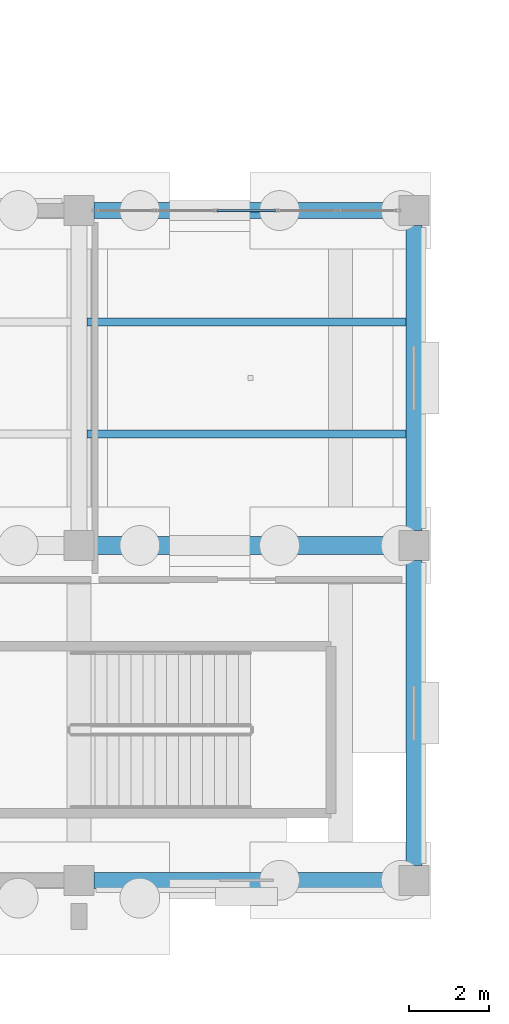
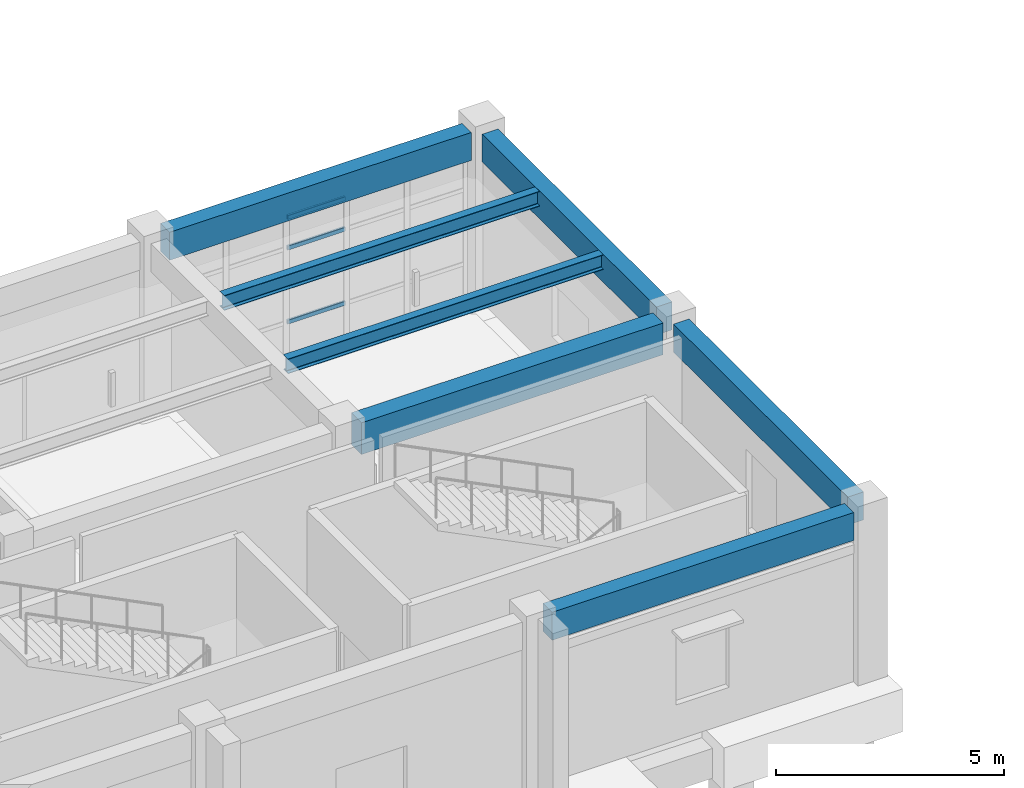
# One storey, part 12 of 29: 7 beams, 4 members, 1 element without a shape of its own.
"""IFC4 building model written with IfcOpenShell, lengths in metres."""

from ifc_helpers import new_model, si_unit, direction, frame, origin, origin_2d, place, context, subcontext, project, spatial, rectangle, hollow_rectangle, i_section, extrude, material, material_profile, profile_set, type_object, element, aggregate, save


model = new_model("IFC4")

# Units and contexts
model_context = context("Model", 3, precision=1e-05, world=origin(), true_north=direction((0.0, 1.0)))
body_context = subcontext(model_context, "Body", "Model", "MODEL_VIEW")
ifc_project = project(units=[si_unit("LENGTHUNIT", "METRE"), si_unit("AREAUNIT", "SQUARE_METRE"), si_unit("VOLUMEUNIT", "CUBIC_METRE"), si_unit("PLANEANGLEUNIT", "RADIAN"), si_unit("MASSUNIT", "GRAM", prefix="KILO")], contexts=[model_context])

# Site, building, storey
site_placement = place(None, origin())
site = spatial("IfcSite", under=ifc_project, at=site_placement, CompositionType="ELEMENT")
building_placement = place(site_placement, origin())
building = spatial("IfcBuilding", under=site, at=building_placement, Name="Canglan Escarpment Cableway Terminal", CompositionType="ELEMENT")
storey_placement = place(building_placement, origin())
storey = spatial("IfcBuildingStorey", under=building, at=storey_placement, Name="L00", CompositionType="ELEMENT", Elevation=0.0)

# Beams
ifc_material_1 = material(Name="Concrete C40", Category="concrete")
ifc_material_profile_1 = material_profile(ifc_material_1, rectangle(XDim=0.39990234375, YDim=0.75, at=origin_2d()), Name="RC 400x750")
ifc_profile_set_1 = profile_set([ifc_material_profile_1], Name="Concrete C40")
beam_type_1 = type_object("IfcBeamType", Name="BM-RC400x750", PredefinedType="BEAM", material=ifc_profile_set_1)
beam_1_placement = place(storey_placement, frame((76.10009765625, 8.375, 4.175048828125), z_axis=(0.0, 1.0, 0.0), x_axis=(-1.0, 0.0, 0.0)))
element("IfcBeam", 1, at=beam_1_placement, inside=storey, type_object=beam_type_1, Name="Primary transverse girder B-03", PredefinedType="BEAM", context=body_context, shape_type="SweptSolid", body=[
    extrude(rectangle(XDim=0.39990234375, YDim=0.75, at=origin_2d()), origin(), (0.0, 0.0, 1.0), 7.64990234375),
])
beam_2_placement = place(storey_placement, frame((76.10009765625, 16.77490234375, 4.175048828125), z_axis=(0.0, 1.0, 0.0), x_axis=(-1.0, 0.0, 0.0)))
element("IfcBeam", 2, at=beam_2_placement, inside=storey, type_object=beam_type_1, Name="Primary transverse girder B-03", PredefinedType="BEAM", context=body_context, shape_type="SweptSolid", body=[
    extrude(rectangle(XDim=0.39990234375, YDim=0.75, at=origin_2d()), origin(), (0.0, 0.0, 1.0), 7.650146484375),
])
ifc_material_profile_2 = material_profile(ifc_material_1, rectangle(XDim=0.449951171875, YDim=0.85009765625, at=origin_2d()), Name="RC 450x850")
ifc_profile_set_2 = profile_set([ifc_material_profile_2], Name="Concrete C40")
beam_type_2 = type_object("IfcBeamType", Name="BM-RC450x850", PredefinedType="BEAM", material=ifc_profile_set_2)
beam_3_placement = place(storey_placement, frame((68.074951171875, 16.39990234375, 4.125), z_axis=(1.0, 0.0, 0.0), x_axis=(0.0, 1.0, 0.0)))
element("IfcBeam", 3, at=beam_3_placement, inside=storey, type_object=beam_type_2, Name="Primary structural girder B-02", PredefinedType="BEAM", context=body_context, shape_type="SweptSolid", body=[
    extrude(rectangle(XDim=0.449951171875, YDim=0.85009765625, at=origin_2d()), origin(), (0.0, 0.0, 1.0), 7.650146484375),
])

# Curtain wall, members
ifc_material_2 = material(Name="Anodized bronze aluminium and Low-E double glazing", Category="aluminium")
curtain_wall_type = type_object("IfcCurtainWallType", Name="CW-BAY-7650x3775", PredefinedType="NOTDEFINED", material=ifc_material_2)
curtain_wall_placement = place(storey_placement, origin())
curtain_wall = element("IfcCurtainWall", 4, at=curtain_wall_placement, inside=storey, type_object=curtain_wall_type, Name="Classical bay-between-piers glazed curtain wall CW-03", PredefinedType="NOTDEFINED")
ifc_material_3 = material(Name="Thermally broken anodized aluminium 6063-T6", Category="aluminium")
ifc_material_profile_3 = material_profile(ifc_material_3, hollow_rectangle(XDim=0.06005859375, YDim=0.110107421875, WallThickness=0.0029296875, InnerFilletRadius=0.0029296875, OuterFilletRadius=0.006103515625, at=origin_2d()), Name="ALU-TRAN 60x110x3")
ifc_profile_set_3 = profile_set([ifc_material_profile_3], Name="Thermally broken anodized aluminium 6063-T6")
member_type = type_object("IfcMemberType", Name="CWT-02", PredefinedType="USERDEFINED", material=ifc_profile_set_3)
member_1_placement = place(storey_placement, frame((72.632568359375, 24.800048828125, 0.030029296875), z_axis=(-1.0, 0.0, 0.0), x_axis=(0.0, -1.0, 0.0)))
member_1 = element("IfcMember", 5, at=member_1_placement, type_object=member_type, Name="CW-03 transom 3.1", ObjectType="TRANSOM", PredefinedType="USERDEFINED", context=body_context, shape_type="SweptSolid", body=[
    extrude(hollow_rectangle(XDim=0.06005859375, YDim=0.110107421875, WallThickness=0.0029296875, InnerFilletRadius=0.0029296875, OuterFilletRadius=0.006103515625, at=origin_2d()), origin(), (0.0, 0.0, 1.0), 1.465087890625),
])
member_2_placement = place(storey_placement, frame((72.632568359375, 24.800048828125, 0.949951171875), z_axis=(-1.0, 0.0, 0.0), x_axis=(0.0, -1.0, 0.0)))
member_2 = element("IfcMember", 6, at=member_2_placement, type_object=member_type, Name="CW-03 transom 3.2", ObjectType="TRANSOM", PredefinedType="USERDEFINED", context=body_context, shape_type="SweptSolid", body=[
    extrude(hollow_rectangle(XDim=0.06005859375, YDim=0.110107421875, WallThickness=0.0029296875, InnerFilletRadius=0.0029296875, OuterFilletRadius=0.006103515625, at=origin_2d()), origin(), (0.0, 0.0, 1.0), 1.465087890625),
])
member_3_placement = place(storey_placement, frame((72.632568359375, 24.800048828125, 2.93505859375), z_axis=(-1.0, 0.0, 0.0), x_axis=(0.0, -1.0, 0.0)))
member_3 = element("IfcMember", 7, at=member_3_placement, type_object=member_type, Name="CW-03 transom 3.3", ObjectType="TRANSOM", PredefinedType="USERDEFINED", context=body_context, shape_type="SweptSolid", body=[
    extrude(hollow_rectangle(XDim=0.06005859375, YDim=0.110107421875, WallThickness=0.0029296875, InnerFilletRadius=0.0029296875, OuterFilletRadius=0.006103515625, at=origin_2d()), origin(), (0.0, 0.0, 1.0), 1.465087890625),
])
member_4_placement = place(storey_placement, frame((72.632568359375, 24.800048828125, 3.7548828125), z_axis=(-1.0, 0.0, 0.0), x_axis=(0.0, -1.0, 0.0)))
member_4 = element("IfcMember", 8, at=member_4_placement, type_object=member_type, Name="CW-03 transom 3.4", ObjectType="TRANSOM", PredefinedType="USERDEFINED", context=body_context, shape_type="SweptSolid", body=[
    extrude(hollow_rectangle(XDim=0.06005859375, YDim=0.110107421875, WallThickness=0.0029296875, InnerFilletRadius=0.0029296875, OuterFilletRadius=0.006103515625, at=origin_2d()), origin(), (0.0, 0.0, 1.0), 1.465087890625),
])
aggregate(curtain_wall, [member_1, member_2, member_3, member_4])

# Beams
ifc_material_4 = material(Name="Steel Q355B", Category="steel")
ifc_material_profile_4 = material_profile(ifc_material_4, i_section(OverallWidth=0.199951171875, OverallDepth=0.39990234375, WebThickness=0.008056640625, FlangeThickness=0.012939453125, FilletRadius=0.01611328125, at=origin_2d()), Name="HN 400x200x8x13")
ifc_profile_set_4 = profile_set([ifc_material_profile_4], Name="Steel Q355B")
beam_type_3 = type_object("IfcBeamType", Name="JS-HN400", PredefinedType="JOIST", material=ifc_profile_set_4)
for number, where, z_axis, x_axis, name in (
    (9, (67.89990234375, 19.199951171875, 4.35009765625), (1.0, 0.0, 0.0), (0.0, 1.0, 0.0), "Secondary composite deck joist J-03"),
    (10, (67.89990234375, 22.0, 4.35009765625), (1.0, 0.0, 0.0), (0.0, 1.0, 0.0), "Secondary composite deck joist J-03"),
):
    element("IfcBeam", number, at=place(storey_placement, frame(where, z_axis=z_axis, x_axis=x_axis)), inside=storey, type_object=beam_type_3, Name=name, PredefinedType="JOIST", context=body_context, shape_type="SweptSolid", body=[
        extrude(i_section(OverallWidth=0.199951171875, OverallDepth=0.39990234375, WebThickness=0.008056640625, FlangeThickness=0.012939453125, FilletRadius=0.01611328125, at=origin_2d()), origin(), (0.0, 0.0, 1.0), 8.0),
    ])
ifc_material_profile_5 = material_profile(ifc_material_1, rectangle(XDim=0.39990234375, YDim=0.75, at=origin_2d()), Name="RC 400x750")
ifc_profile_set_5 = profile_set([ifc_material_profile_5], Name="Concrete C40")
beam_type_4 = type_object("IfcBeamType", Name="SP-RC400x750", PredefinedType="SPANDREL", material=ifc_profile_set_5)
for number, where, z_axis, x_axis, name in (
    (11, (68.074951171875, 8.0, 4.175048828125), (1.0, 0.0, 0.0), (0.0, 1.0, 0.0), "Primary structural girder SP-01"),
    (12, (68.074951171875, 24.800048828125, 4.175048828125), (1.0, 0.0, 0.0), (0.0, 1.0, 0.0), "Primary structural girder SP-01"),
):
    element("IfcBeam", number, at=place(storey_placement, frame(where, z_axis=z_axis, x_axis=x_axis)), inside=storey, type_object=beam_type_4, Name=name, PredefinedType="SPANDREL", context=body_context, shape_type="SweptSolid", body=[
        extrude(rectangle(XDim=0.39990234375, YDim=0.75, at=origin_2d()), origin(), (0.0, 0.0, 1.0), 7.650146484375),
    ])

save(model, "model.ifc")
